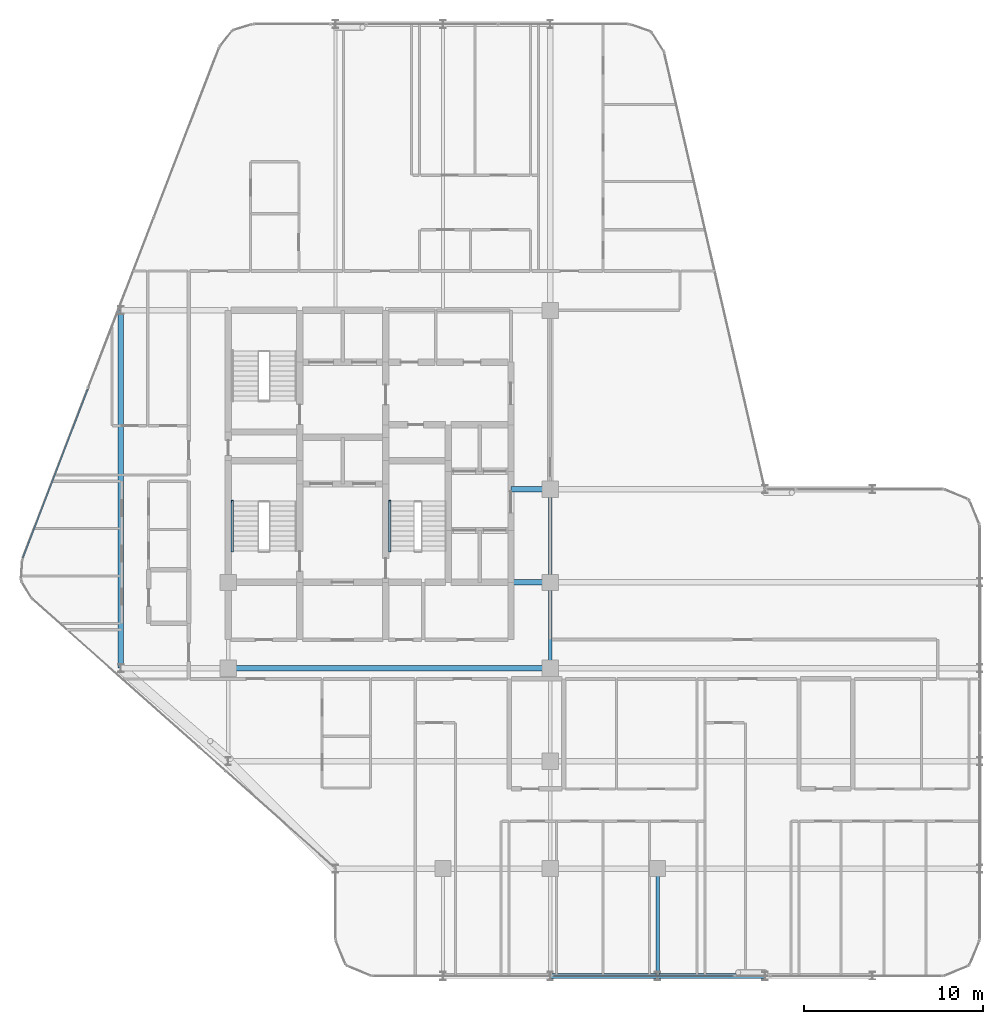
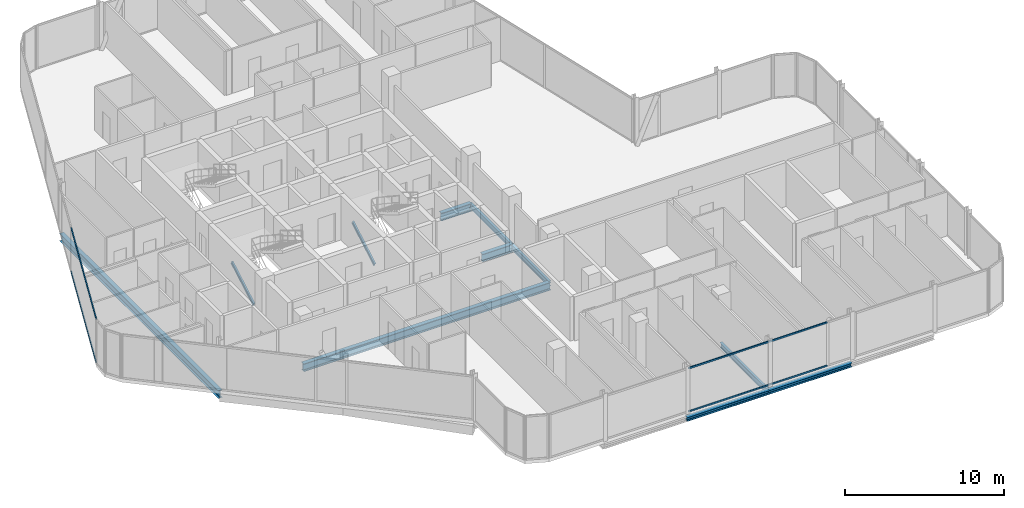
# One storey, part 9 of 29: 9 beams, 6 members, 2 elements without a shape of their own.
"""IFC4 building model written with IfcOpenShell, lengths in metres."""

from ifc_helpers import new_model, si_unit, direction, frame, origin, origin_2d, place, context, subcontext, project, spatial, hollow_rectangle, i_section, extrude, material, layer, layer_set, material_profile, profile_set, type_object, element, aggregate, save


model = new_model("IFC4")

# Units and contexts
model_context = context("Model", 3, precision=1e-05, world=origin(), true_north=direction((0.0, 1.0)))
body_context = subcontext(model_context, "Body", "Model", "MODEL_VIEW")
ifc_project = project(units=[si_unit("LENGTHUNIT", "METRE"), si_unit("AREAUNIT", "SQUARE_METRE"), si_unit("VOLUMEUNIT", "CUBIC_METRE"), si_unit("PLANEANGLEUNIT", "RADIAN"), si_unit("MASSUNIT", "GRAM", prefix="KILO")], contexts=[model_context])

# Site, building, storey
site_placement = place(None, origin())
site = spatial("IfcSite", under=ifc_project, at=site_placement, CompositionType="ELEMENT")
building_placement = place(site_placement, origin())
building = spatial("IfcBuilding", under=site, at=building_placement, Name="Keshet Zoharim Tower", CompositionType="ELEMENT")
storey_placement = place(building_placement, frame((0.0, 0.0, 176.5)))
storey = spatial("IfcBuildingStorey", under=building, at=storey_placement, Name="L43", CompositionType="ELEMENT", Elevation=176.5)

# Beams
ifc_material_1 = material(Name="Steel S355", Category="steel")
ifc_material_profile_1 = material_profile(ifc_material_1, i_section(OverallWidth=0.300048828125, OverallDepth=0.60009765625, WebThickness=0.015380859375, FlangeThickness=0.030029296875, FilletRadius=0.027099609375, at=origin_2d()), Name="HEB600")
ifc_profile_set_1 = profile_set([ifc_material_profile_1], Name="Steel S355")
beam_type_1 = type_object("IfcBeamType", Name="BM-CLK-HB600", PredefinedType="BEAM", material=ifc_profile_set_1)
for number, where, z_axis, x_axis, name in (
    (1, (30.800048828125, 22.699951171875, -0.610107421875), (1.0, 0.0, 0.0), (0.0, 1.0, 0.0), "L43 Core Wall Link Girder 01"),
    (2, (30.800048828125, 27.89990234375, -0.610107421875), (1.0, 0.0, 0.0), (0.0, 1.0, 0.0), "L43 Core Wall Link Girder 02"),
):
    element("IfcBeam", number, at=place(storey_placement, frame(where, z_axis=z_axis, x_axis=x_axis)), inside=storey, type_object=beam_type_1, Name=name, PredefinedType="BEAM", context=body_context, shape_type="SweptSolid", body=[
        extrude(i_section(OverallWidth=0.300048828125, OverallDepth=0.60009765625, WebThickness=0.015380859375, FlangeThickness=0.030029296875, FilletRadius=0.027099609375, at=origin_2d()), origin(), (0.0, 0.0, 1.0), 2.199951171875),
    ])
ifc_material_profile_2 = material_profile(ifc_material_1, i_section(OverallWidth=0.300048828125, OverallDepth=0.60009765625, WebThickness=0.015380859375, FlangeThickness=0.030029296875, FilletRadius=0.027099609375, at=origin_2d()), Name="HEB600")
ifc_profile_set_2 = profile_set([ifc_material_profile_2], Name="Steel S355")
beam_type_2 = type_object("IfcBeamType", Name="BM-LNG-HB600", PredefinedType="BEAM", material=ifc_profile_set_2)
beam_1_placement = place(storey_placement, frame((15.0, 17.89990234375, -0.610107421875), z_axis=(1.0, 0.0, 0.0), x_axis=(0.0, 1.0, 0.0)))
element("IfcBeam", 3, at=beam_1_placement, inside=storey, type_object=beam_type_2, Name="L43 Primary Girder X-012", PredefinedType="BEAM", context=body_context, shape_type="SweptSolid", body=[
    extrude(i_section(OverallWidth=0.300048828125, OverallDepth=0.60009765625, WebThickness=0.015380859375, FlangeThickness=0.030029296875, FilletRadius=0.027099609375, at=origin_2d()), origin(), (0.0, 0.0, 1.0), 18.0),
])
beam_2_placement = place(storey_placement, frame((9.0, 17.89990234375, -0.610107421875), z_axis=(0.0, 1.0, 0.0), x_axis=(-1.0, 0.0, 0.0)))
element("IfcBeam", 4, at=beam_2_placement, inside=storey, type_object=beam_type_2, Name="L43 Primary Girder Y-001", PredefinedType="BEAM", context=body_context, shape_type="SweptSolid", body=[
    extrude(i_section(OverallWidth=0.300048828125, OverallDepth=0.60009765625, WebThickness=0.015380859375, FlangeThickness=0.030029296875, FilletRadius=0.027099609375, at=origin_2d()), origin(), (0.0, 0.0, 1.0), 20.0),
])
ifc_material_profile_3 = material_profile(ifc_material_1, i_section(OverallWidth=0.300048828125, OverallDepth=0.300048828125, WebThickness=0.010986328125, FlangeThickness=0.01904296875, FilletRadius=0.027099609375, at=origin_2d()), Name="HEB300")
ifc_profile_set_3 = profile_set([ifc_material_profile_3], Name="Steel S355")
beam_type_3 = type_object("IfcBeamType", Name="BM-PRI-HB300", PredefinedType="BEAM", material=ifc_profile_set_3)
for number, where, z_axis, x_axis, name in (
    (5, (33.0, 0.699951171875, -0.4599609375), (1.0, 0.0, 0.0), (0.0, 1.0, 0.0), "L43 Primary Girder X-002"),
    (6, (39.0, 0.699951171875, -0.4599609375), (1.0, 0.0, 0.0), (0.0, 1.0, 0.0), "L43 Primary Girder X-003"),
):
    element("IfcBeam", number, at=place(storey_placement, frame(where, z_axis=z_axis, x_axis=x_axis)), inside=storey, type_object=beam_type_3, Name=name, PredefinedType="BEAM", context=body_context, shape_type="SweptSolid", body=[
        extrude(i_section(OverallWidth=0.300048828125, OverallDepth=0.300048828125, WebThickness=0.010986328125, FlangeThickness=0.01904296875, FilletRadius=0.027099609375, at=origin_2d()), origin(), (0.0, 0.0, 1.0), 6.0),
    ])
ifc_material_profile_4 = material_profile(ifc_material_1, i_section(OverallWidth=0.179931640625, OverallDepth=0.39990234375, WebThickness=0.008544921875, FlangeThickness=0.013427734375, FilletRadius=0.02099609375, at=origin_2d()), Name="IPE400")
ifc_profile_set_4 = profile_set([ifc_material_profile_4], Name="Steel S355")
beam_type_4 = type_object("IfcBeamType", Name="BM-PRI-IP400", PredefinedType="BEAM", material=ifc_profile_set_4)
beam_3_placement = place(storey_placement, frame((33.0, 17.89990234375, -0.510009765625), z_axis=(0.0, 1.0, 0.0), x_axis=(-1.0, 0.0, 0.0)))
element("IfcBeam", 7, at=beam_3_placement, inside=storey, type_object=beam_type_4, Name="L43 Primary Girder Y-008", PredefinedType="BEAM", context=body_context, shape_type="SweptSolid", body=[
    extrude(i_section(OverallWidth=0.179931640625, OverallDepth=0.39990234375, WebThickness=0.008544921875, FlangeThickness=0.013427734375, FilletRadius=0.02099609375, at=origin_2d()), origin(), (0.0, 0.0, 1.0), 4.800048828125),
])
beam_4_placement = place(storey_placement, frame((33.0, 22.699951171875, -0.510009765625), z_axis=(0.0, 1.0, 0.0), x_axis=(-1.0, 0.0, 0.0)))
element("IfcBeam", 8, at=beam_4_placement, inside=storey, type_object=beam_type_4, Name="L43 Primary Girder Y-009", PredefinedType="BEAM", context=body_context, shape_type="SweptSolid", body=[
    extrude(i_section(OverallWidth=0.179931640625, OverallDepth=0.39990234375, WebThickness=0.008544921875, FlangeThickness=0.013427734375, FilletRadius=0.02099609375, at=origin_2d()), origin(), (0.0, 0.0, 1.0), 5.199951171875),
])
beam_5_placement = place(storey_placement, frame((39.0, 0.699951171875, -0.510009765625), z_axis=(0.0, 1.0, 0.0), x_axis=(-1.0, 0.0, 0.0)))
element("IfcBeam", 9, at=beam_5_placement, inside=storey, type_object=beam_type_4, Name="L43 Primary Girder Y-012", PredefinedType="BEAM", context=body_context, shape_type="SweptSolid", body=[
    extrude(i_section(OverallWidth=0.179931640625, OverallDepth=0.39990234375, WebThickness=0.008544921875, FlangeThickness=0.013427734375, FilletRadius=0.02099609375, at=origin_2d()), origin(), (0.0, 0.0, 1.0), 6.0),
])

# Curtain wall, members
ifc_material_2 = material(Name="Aluminium 6063-T6", Category="aluminium")
ifc_layer = layer(ifc_material_2, 0.139892578125)
ifc_layer_set = layer_set([ifc_layer], Name="Aluminium 6063-T6")
curtain_wall_type = type_object("IfcCurtainWallType", Name="CW-SYS-05", PredefinedType="NOTDEFINED", material=ifc_layer_set)
curtain_wall_1_placement = place(storey_placement, origin())
curtain_wall_1 = element("IfcCurtainWall", 10, at=curtain_wall_1_placement, inside=storey, type_object=curtain_wall_type, Name="L43 Unitised Curtain Wall 06 Part 3", PredefinedType="NOTDEFINED")
ifc_material_profile_5 = material_profile(ifc_material_2, hollow_rectangle(XDim=0.074951171875, YDim=0.1201171875, WallThickness=0.00390625, at=origin_2d()), Name="TRN-75x120")
ifc_profile_set_5 = profile_set([ifc_material_profile_5], Name="Aluminium 6063-T6")
member_type_1 = type_object("IfcMemberType", Name="CWT-T12", PredefinedType="USERDEFINED", material=ifc_profile_set_5)
member_1_placement = place(storey_placement, frame((43.251953125, 0.699951171875, 0.034912109375), z_axis=(-1.0, 0.0, 0.0), x_axis=(0.0, -1.0, 0.0)))
member_1 = element("IfcMember", 11, at=member_1_placement, type_object=member_type_1, Name="CW-05 transom 1.1", ObjectType="TRANSOM", PredefinedType="USERDEFINED", context=body_context, shape_type="SweptSolid", body=[
    extrude(hollow_rectangle(XDim=0.074951171875, YDim=0.1201171875, WallThickness=0.00390625, at=origin_2d()), origin(), (0.0, 0.0, 1.0), 10.091064453125),
])
member_2_placement = place(storey_placement, frame((43.251953125, 0.699951171875, 3.35498046875), z_axis=(-1.0, 0.0, 0.0), x_axis=(0.0, -1.0, 0.0)))
member_2 = element("IfcMember", 12, at=member_2_placement, type_object=member_type_1, Name="CW-05 transom 1.2", ObjectType="TRANSOM", PredefinedType="USERDEFINED", context=body_context, shape_type="SweptSolid", body=[
    extrude(hollow_rectangle(XDim=0.074951171875, YDim=0.1201171875, WallThickness=0.00390625, at=origin_2d()), origin(), (0.0, 0.0, 1.0), 10.091064453125),
])
aggregate(curtain_wall_1, [member_1, member_2])

curtain_wall_2_placement = place(storey_placement, origin())
curtain_wall_2 = element("IfcCurtainWall", 13, at=curtain_wall_2_placement, inside=storey, type_object=curtain_wall_type, Name="L43 Unitised Curtain Wall 13", PredefinedType="NOTDEFINED")
member_3_placement = place(storey_placement, frame((3.522216796875, 24.058349609375, 0.034912109375), z_axis=(0.358993631387, 0.93334000912, 0.0), x_axis=(-0.93334000912, 0.358993631387, 0.0)))
member_3 = element("IfcMember", 14, at=member_3_placement, type_object=member_type_1, Name="CW-05 transom 1.1", ObjectType="TRANSOM", PredefinedType="USERDEFINED", context=body_context, shape_type="SweptSolid", body=[
    extrude(hollow_rectangle(XDim=0.074951171875, YDim=0.1201171875, WallThickness=0.00390625, at=origin_2d()), origin(), (0.0, 0.0, 1.0), 10.1181640625),
])
member_4_placement = place(storey_placement, frame((3.522216796875, 24.058349609375, 3.35498046875), z_axis=(0.358993631387, 0.93334000912, 0.0), x_axis=(-0.93334000912, 0.358993631387, 0.0)))
member_4 = element("IfcMember", 15, at=member_4_placement, type_object=member_type_1, Name="CW-05 transom 1.2", ObjectType="TRANSOM", PredefinedType="USERDEFINED", context=body_context, shape_type="SweptSolid", body=[
    extrude(hollow_rectangle(XDim=0.074951171875, YDim=0.1201171875, WallThickness=0.00390625, at=origin_2d()), origin(), (0.0, 0.0, 1.0), 10.1181640625),
])
aggregate(curtain_wall_2, [member_3, member_4])

# Members
ifc_material_profile_6 = material_profile(ifc_material_1, i_section(OverallWidth=0.1201171875, OverallDepth=0.239990234375, WebThickness=0.006103515625, FlangeThickness=0.009765625, FilletRadius=0.014892578125, at=origin_2d()), Name="IPE240")
ifc_profile_set_6 = profile_set([ifc_material_profile_6], Name="Steel S355")
member_type_2 = type_object("IfcMemberType", Name="MB-STRG-IP240", PredefinedType="STRINGER", material=ifc_profile_set_6)
for number, where, z_axis, x_axis, name in (
    (16, (15.22998046875, 24.43994140625, 0.1201171875), (0.0, 0.866928350432, 0.498432779035), (-1.0, 0.0, 0.0), "L43 ST-01 Flight Steel Stringer"),
    (17, (24.030029296875, 24.43994140625, 0.1201171875), (0.0, 0.866928350432, 0.498432779035), (-1.0, 0.0, 0.0), "L43 ST-03 Flight Steel Stringer"),
):
    element("IfcMember", number, at=place(storey_placement, frame(where, z_axis=z_axis, x_axis=x_axis)), inside=storey, type_object=member_type_2, Name=name, PredefinedType="STRINGER", context=body_context, shape_type="SweptSolid", body=[
        extrude(i_section(OverallWidth=0.1201171875, OverallDepth=0.239990234375, WebThickness=0.006103515625, FlangeThickness=0.009765625, FilletRadius=0.014892578125, at=origin_2d()), origin(), (0.0, 0.0, 1.0), 3.229736328125),
    ])

save(model, "model.ifc")
